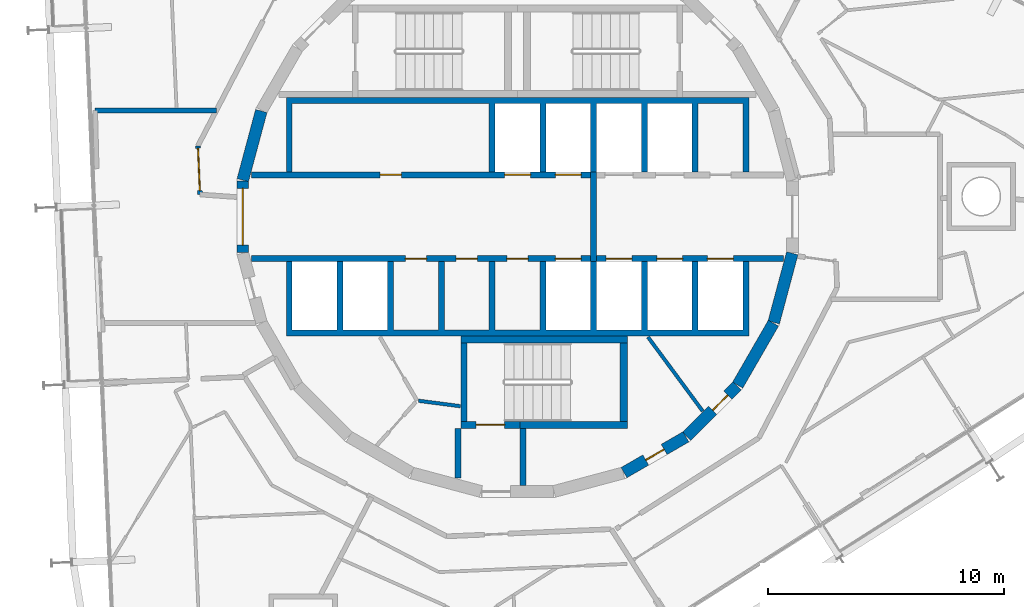
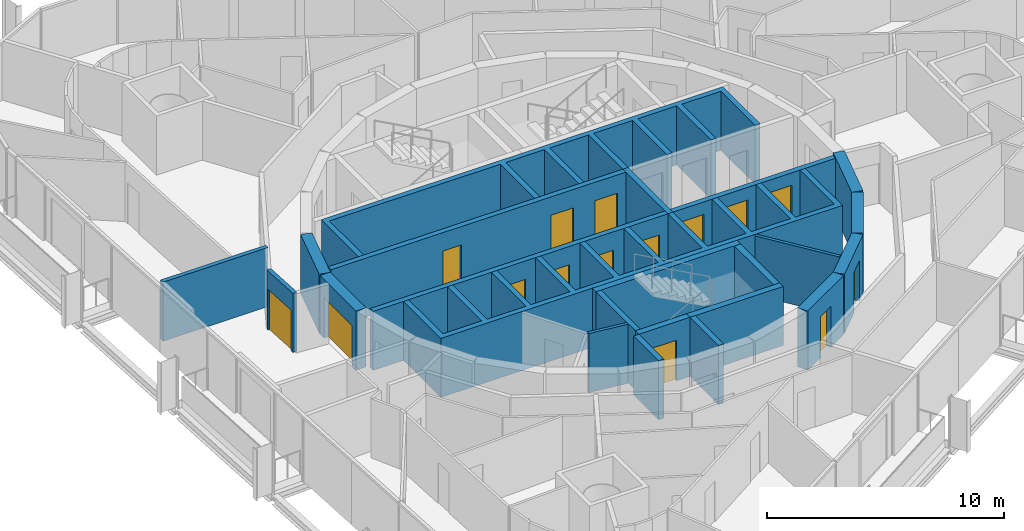
# One storey, part 13 of 18: 23 walls, 15 doors, 15 openings.
"""IFC4 building model written with IfcOpenShell, lengths in metres."""

import ifcopenshell
import ifcopenshell.guid

model = None  # the IFC model being written
_history = None  # IfcOwnerHistory: only IFC2X3 demands one
_inside = {}  # id of a spatial element -> (the spatial element, [elements in it])
_under = {}  # id of a project, library or spatial element -> (it, [spatial elements below it])
_declared = {}  # id of a project -> (the project, [libraries it declares])
_typed = {}  # id of a type object -> (the type object, [elements of that type])
_made_of = {}  # id of a material, layer set ... -> (it, [elements and type objects made of it])


def new_model(schema):
    """Start an empty IFC model of exactly this schema.

    Asked for "IFC4X3", IfcOpenShell would pick the latest addendum, in which some entities
    have other attributes; the version numbers below select the first issue.
    IFC2X3 requires an IfcOwnerHistory on every rooted entity: one is made here for all.
    """
    global model, _history
    if schema == "IFC4X3":
        model = ifcopenshell.file(schema_version=(4, 3, 0, 0))
    else:
        model = ifcopenshell.file(schema=schema)
    _inside.clear()
    _under.clear()
    _declared.clear()
    _typed.clear()
    _made_of.clear()
    _history = None
    if model.schema == "IFC2X3":
        org = make("IfcOrganization", Name="unknown")
        user = make(
            "IfcPersonAndOrganization",
            ThePerson=make("IfcPerson", FamilyName="unknown"),
            TheOrganization=org,
        )
        app = make(
            "IfcApplication",
            ApplicationDeveloper=org,
            Version="unknown",
            ApplicationFullName="unknown",
            ApplicationIdentifier="unknown",
        )
        _history = make(
            "IfcOwnerHistory",
            OwningUser=user,
            OwningApplication=app,
            ChangeAction="ADDED",
            CreationDate=0,
        )
    return model


def make(cls, **values):
    """One entity of the class cls with the attributes given. An attribute that is None is left unset."""
    return model.create_entity(
        cls, **{name: value for name, value in values.items() if value is not None}
    )


def rooted(cls, **values):
    """An entity with a GlobalId (a new one), such as an element, a storey or a relation."""
    return make(cls, GlobalId=ifcopenshell.guid.new(), OwnerHistory=_history, **values)


def si_unit(unit_type, name, prefix=None):
    """IfcSIUnit, for example si_unit("LENGTHUNIT", "METRE", prefix="MILLI")."""
    return make("IfcSIUnit", UnitType=unit_type, Prefix=prefix, Name=name)


def assignment(units):
    """IfcUnitAssignment: the units of a project."""
    return None if units is None else make("IfcUnitAssignment", Units=units)


def point(xyz):
    """IfcCartesianPoint."""
    return None if xyz is None else make("IfcCartesianPoint", Coordinates=xyz)


def direction(xyz):
    """IfcDirection."""
    return None if xyz is None else make("IfcDirection", DirectionRatios=xyz)


def frame(location, z_axis=None, x_axis=None):
    """IfcAxis2Placement3D, a coordinate frame: its origin and axes. An axis left out is left unset."""
    return make(
        "IfcAxis2Placement3D",
        Location=point(location),
        Axis=direction(z_axis),
        RefDirection=direction(x_axis),
    )


def frame_2d(location, x_axis=None):
    """IfcAxis2Placement2D, a coordinate frame in the plane: its origin and x axis."""
    return make(
        "IfcAxis2Placement2D", Location=point(location), RefDirection=direction(x_axis)
    )


def origin():
    """The frame at (0, 0, 0) with its axes left unset."""
    return frame((0.0, 0.0, 0.0))


def place(relative_to, where):
    """IfcLocalPlacement: puts the frame where relative to a parent placement (None: the world)."""
    return make(
        "IfcLocalPlacement", PlacementRelTo=relative_to, RelativePlacement=where
    )


def context(
    kind, dimensions, precision=None, world=None, true_north=None, identifier=None
):
    """IfcGeometricRepresentationContext, for example the 3D "Model" context."""
    return make(
        "IfcGeometricRepresentationContext",
        ContextIdentifier=identifier,
        ContextType=kind,
        CoordinateSpaceDimension=dimensions,
        Precision=precision,
        WorldCoordinateSystem=world,
        TrueNorth=true_north,
    )


def subcontext(parent, identifier, kind, view, scale=None):
    """IfcGeometricRepresentationSubContext, for example "Body" below "Model"."""
    return make(
        "IfcGeometricRepresentationSubContext",
        ContextIdentifier=identifier,
        ContextType=kind,
        ParentContext=parent,
        TargetScale=scale,
        TargetView=view,
    )


def project(units=None, contexts=None):
    """IfcProject with its units and contexts."""
    return rooted(
        "IfcProject",
        Name="project",
        RepresentationContexts=contexts,
        UnitsInContext=assignment(units),
    )


def spatial(cls, under=None, at=None, **own):
    """A site, building, storey or space (cls), placed at a placement, below another one or the project."""
    s = rooted(cls, ObjectPlacement=at, **own)
    if under is not None:
        _under.setdefault(under.id(), (under, []))[1].append(s)
    return s


def polyline(points):
    """IfcPolyline through the points."""
    return make("IfcPolyline", Points=[point(p) for p in points])


def profile(cls, at=None, kind="AREA", **sizes):
    """A parametric profile (cls). Its sizes go by their IFC names, for example OverallWidth=200.0."""
    return make(cls, ProfileType=kind, Position=at, **sizes)


def rectangle(**sizes):
    """IfcRectangleProfileDef."""
    return profile("IfcRectangleProfileDef", **sizes)


def outline(outer, holes=None, kind="AREA"):
    """IfcArbitraryClosedProfileDef: a profile drawn as a closed curve; with holes, ...WithVoids."""
    if holes is None:
        return make("IfcArbitraryClosedProfileDef", ProfileType=kind, OuterCurve=outer)
    return make(
        "IfcArbitraryProfileDefWithVoids",
        ProfileType=kind,
        OuterCurve=outer,
        InnerCurves=holes,
    )


def extrude(swept, where, along, depth):
    """IfcExtrudedAreaSolid: the profile swept, set in the frame where, extruded along a direction by depth."""
    return make(
        "IfcExtrudedAreaSolid",
        SweptArea=swept,
        Position=where,
        ExtrudedDirection=direction(along),
        Depth=depth,
    )


def shape(context_of_items, identifier, shape_type, items):
    """IfcShapeRepresentation: the items that make up one representation, for example the "Body"."""
    return make(
        "IfcShapeRepresentation",
        ContextOfItems=context_of_items,
        RepresentationIdentifier=identifier,
        RepresentationType=shape_type,
        Items=items,
    )


def material(Name=None, Category=None):
    """IfcMaterial."""
    return make("IfcMaterial", Name=Name, Category=Category)


def layer(
    of_material, thickness, ventilated=None, Name=None, Category=None, Priority=None
):
    """IfcMaterialLayer: one layer of a wall or slab, of a material (None: an air gap)."""
    return make(
        "IfcMaterialLayer",
        Material=of_material,
        LayerThickness=thickness,
        IsVentilated=ventilated,
        Name=Name,
        Category=Category,
        Priority=Priority,
    )


def layer_set(layers, Name=None):
    """IfcMaterialLayerSet."""
    return make("IfcMaterialLayerSet", MaterialLayers=layers, LayerSetName=Name)


def made_of(thing, what):
    """Note that an element or type object is made of a material, layer set ...; save() writes the relation."""
    if what is not None:
        _made_of.setdefault(what.id(), (what, []))[1].append(thing)
    return thing


def type_object(cls, material=None, **own):
    """A type object (cls), such as IfcWallType, which elements share."""
    return made_of(rooted(cls, **own), material)


def element(
    cls,
    number,
    at=None,
    inside=None,
    cuts=None,
    type_object=None,
    material=None,
    context=None,
    identifier="Body",
    shape_type=None,
    held_by="IfcProductDefinitionShape",
    body=None,
    shapes=None,
    **own,
):
    """One element of the class cls, such as IfcWall. Its Tag is "e" and its number.

    at: its placement. inside: the storey or other place that contains it. cuts: it is an
    opening in that element (IfcRelVoidsElement). A single representation is given by context,
    identifier, shape_type and body (its items); several are given by shapes. held_by: the class
    of the entity that holds the representations. save() writes the other relations.
    """
    e = rooted(cls, Tag="e%d" % number, ObjectPlacement=at, **own)
    if body is not None:
        shapes = [shape(context, identifier, shape_type, body)]
    if shapes is not None:
        e.Representation = make(held_by, Representations=shapes)
    if inside is not None:
        _inside.setdefault(inside.id(), (inside, []))[1].append(e)
    if cuts is not None:
        rooted(
            "IfcRelVoidsElement", RelatingBuildingElement=cuts, RelatedOpeningElement=e
        )
    if type_object is not None:
        _typed.setdefault(type_object.id(), (type_object, []))[1].append(e)
    return made_of(e, material)


def fill(opening, filler):
    """IfcRelFillsElement: the door or window that sits in an opening."""
    return rooted(
        "IfcRelFillsElement",
        RelatingOpeningElement=opening,
        RelatedBuildingElement=filler,
    )


def aggregate(whole, parts):
    """IfcRelAggregates: a whole, such as a stair, and the parts it consists of."""
    return rooted("IfcRelAggregates", RelatingObject=whole, RelatedObjects=parts)


def save(model, path):
    """Write the relations noted so far, then the file.

    IfcRelAggregates (storeys below a building ...), IfcRelContainedInSpatialStructure (elements
    in a storey), IfcRelDefinesByType, IfcRelAssociatesMaterial and IfcRelDeclares: one each for
    every whole, place, type object, material and project.
    """
    for whole, parts in _under.values():
        aggregate(whole, parts)
    for where, things in _inside.values():
        rooted(
            "IfcRelContainedInSpatialStructure",
            RelatedElements=things,
            RelatingStructure=where,
        )
    for kind, things in _typed.values():
        rooted("IfcRelDefinesByType", RelatedObjects=things, RelatingType=kind)
    for what, things in _made_of.values():
        rooted("IfcRelAssociatesMaterial", RelatedObjects=things, RelatingMaterial=what)
    for by, libraries in _declared.values():
        rooted("IfcRelDeclares", RelatingContext=by, RelatedDefinitions=libraries)
    model.write(path)


model = new_model("IFC4")

# Units and contexts
model_context = context("Model", 3, precision=1e-05, world=origin(), true_north=direction((0.0, 1.0)))
body_context = subcontext(model_context, "Body", "Model", "MODEL_VIEW")
ifc_project = project(units=[si_unit("LENGTHUNIT", "METRE"), si_unit("AREAUNIT", "SQUARE_METRE"), si_unit("VOLUMEUNIT", "CUBIC_METRE"), si_unit("PLANEANGLEUNIT", "RADIAN"), si_unit("MASSUNIT", "GRAM", prefix="KILO")], contexts=[model_context])

# Site, building, storey
site_placement = place(None, origin())
site = spatial("IfcSite", under=ifc_project, at=site_placement, CompositionType="ELEMENT")
building_placement = place(site_placement, origin())
building = spatial("IfcBuilding", under=site, at=building_placement, Name="Spindle Arch Residences", CompositionType="ELEMENT")
storey_placement = place(building_placement, frame((0.0, 0.0, 254.699951171875)))
storey = spatial("IfcBuildingStorey", under=building, at=storey_placement, Name="L65", CompositionType="ELEMENT", Elevation=254.699951171875)

# Wall, opening, door
ifc_material_1 = material(Name="Concrete C50/60", Category="concrete")
ifc_layer_1 = layer(ifc_material_1, 0.5)
ifc_layer_set_1 = layer_set([ifc_layer_1], Name="Core outline wall 500")
wall_type_1 = type_object("IfcWallType", Name="Core outline wall 500", PredefinedType="SHEAR", material=ifc_layer_set_1)
wall_1_placement = place(storey_placement, frame((4.510498046875, -10.84521484375, 0.0), z_axis=(0.0, 0.0, 1.0), x_axis=(0.865975092491, 0.500087131594, 0.0)))
wall_1 = element("IfcWall", 1, at=wall_1_placement, inside=storey, type_object=wall_type_1, Name="Core outline wall 2", PredefinedType="SHEAR", context=body_context, shape_type="SweptSolid", body=[
    extrude(rectangle(XDim=3.03271484375, YDim=0.5, at=frame_2d((1.516357421875, 0.0))), origin(), (0.0, 0.0, 1.0), 3.050048828125),
])
opening_1_placement = place(wall_1_placement, frame((1.06640625, 0.0, 0.0)))
opening_1 = element("IfcOpeningElement", 2, at=opening_1_placement, cuts=wall_1, Name="Opening R6C0-WD08", PredefinedType="OPENING", context=body_context, shape_type="SweptSolid", body=[
    extrude(rectangle(XDim=0.89990234375, YDim=2.10009765625, at=frame_2d((0.449951171875, 1.050048828125))), frame((0.0, 0.260009765625, 0.0), z_axis=(0.0, -1.0, 0.0), x_axis=(1.0, 0.0, 0.0)), (0.0, 0.0, 1.0), 0.52001953125),
])
ifc_material_2 = material(Name="Steel, fire-resisting door", Category="steel")
door_type_1 = type_object("IfcDoorType", Name="Service room door 900x2100", OperationType="SINGLE_SWING_LEFT", PredefinedType="DOOR", material=ifc_material_2)
door_1_placement = place(opening_1_placement, origin())
door_1 = element("IfcDoor", 3, at=door_1_placement, inside=storey, type_object=door_type_1, Name="Service room door R6C0-WD08", OperationType="SINGLE_SWING_RIGHT", OverallHeight=2.10009765625, OverallWidth=0.89990234375, PredefinedType="DOOR", context=body_context, shape_type="SweptSolid", body=[
    extrude(rectangle(XDim=0.89990234375, YDim=2.10009765625, at=frame_2d((0.449951171875, 1.050048828125))), frame((0.0, 0.02490234375, 0.0), z_axis=(0.0, -1.0, 0.0), x_axis=(1.0, 0.0, 0.0)), (0.0, 0.0, 1.0), 0.050048828125),
])
fill(opening_1, door_1)

wall_2_placement = place(storey_placement, frame((7.163818359375, -9.30810546875, 0.0), z_axis=(0.0, 0.0, 1.0), x_axis=(0.707106781187, 0.707106781187, 0.0)))
wall_2 = element("IfcWall", 4, at=wall_2_placement, inside=storey, type_object=wall_type_1, Name="Core outline wall 3", PredefinedType="SHEAR", context=body_context, shape_type="SweptSolid", body=[
    extrude(rectangle(XDim=3.032470703125, YDim=0.5, at=frame_2d((1.51611328125, 0.0))), origin(), (0.0, 0.0, 1.0), 3.050048828125),
])
opening_2_placement = place(wall_2_placement, frame((1.56640625, 0.0, 0.0)))
opening_2 = element("IfcOpeningElement", 5, at=opening_2_placement, cuts=wall_2, Name="Opening R6C0-WD09", PredefinedType="OPENING", context=body_context, shape_type="SweptSolid", body=[
    extrude(rectangle(XDim=0.89990234375, YDim=2.10009765625, at=frame_2d((0.449951171875, 1.050048828125))), frame((0.0, 0.260009765625, 0.0), z_axis=(0.0, -1.0, 0.0), x_axis=(1.0, 0.0, 0.0)), (0.0, 0.0, 1.0), 0.52001953125),
])
door_2_placement = place(opening_2_placement, origin())
door_2 = element("IfcDoor", 6, at=door_2_placement, inside=storey, type_object=door_type_1, Name="Service room door R6C0-WD09", OperationType="SINGLE_SWING_LEFT", OverallHeight=2.10009765625, OverallWidth=0.89990234375, PredefinedType="DOOR", context=body_context, shape_type="SweptSolid", body=[
    extrude(rectangle(XDim=0.89990234375, YDim=2.10009765625, at=frame_2d((0.449951171875, 1.050048828125))), frame((0.0, 0.02490234375, 0.0), z_axis=(0.0, -1.0, 0.0), x_axis=(1.0, 0.0, 0.0)), (0.0, 0.0, 1.0), 0.050048828125),
])
fill(opening_2, door_2)

# Walls
for number, where, z_axis, x_axis, name in (
    (7, (9.32861328125, -7.13671875, 0.0), (0.0, 0.0, 1.0), (0.500087131594, 0.865975092491, 0.0), "Core outline wall 4"),
    (8, (10.858154296875, -4.479248046875, 0.0), (0.0, 0.0, 1.0), (0.258734743916, 0.965948410781, 0.0), "Core outline wall 5"),
    (9, (-10.858154296875, 4.479248046875, 0.0), (0.0, 0.0, 1.0), (-0.258734743916, -0.965948410781, 0.0), "Core outline wall 17"),
):
    element("IfcWall", number, at=place(storey_placement, frame(where, z_axis=z_axis, x_axis=x_axis)), inside=storey, type_object=wall_type_1, Name=name, PredefinedType="SHEAR", context=body_context, shape_type="SweptSolid", body=[
        extrude(rectangle(XDim=3.03271484375, YDim=0.5, at=frame_2d((1.516357421875, 0.0))), origin(), (0.0, 0.0, 1.0), 3.050048828125),
    ])

# Wall, opening, door
wall_3_placement = place(storey_placement, frame((-11.647216796875, 1.516357421875, 0.0), z_axis=(0.0, 0.0, 1.0), x_axis=(0.0, -1.0, 0.0)))
wall_3 = element("IfcWall", 10, at=wall_3_placement, inside=storey, type_object=wall_type_1, Name="Core outline wall 18", PredefinedType="SHEAR", context=body_context, shape_type="SweptSolid", body=[
    extrude(rectangle(XDim=3.03271484375, YDim=0.5, at=frame_2d((1.516357421875, 0.0))), origin(), (0.0, 0.0, 1.0), 3.050048828125),
])
opening_3_placement = place(wall_3_placement, frame((0.31640625, 0.0, 0.0)))
opening_3 = element("IfcOpeningElement", 11, at=opening_3_placement, cuts=wall_3, Name="Opening R6C0-LE01", PredefinedType="OPENING", context=body_context, shape_type="SweptSolid", body=[
    extrude(rectangle(XDim=2.39990234375, YDim=2.10009765625, at=frame_2d((1.199951171875, 1.050048828125))), frame((0.0, 0.260009765625, 0.0), z_axis=(0.0, -1.0, 0.0), x_axis=(1.0, 0.0, 0.0)), (0.0, 0.0, 1.0), 0.52001953125),
])
ifc_material_3 = material(Name="Steel, fire-resisting door", Category="steel")
door_type_2 = type_object("IfcDoorType", Name="Lift lobby entrance door 2400x2100", OperationType="DOUBLE_DOOR_SINGLE_SWING", PredefinedType="DOOR", material=ifc_material_3)
door_3_placement = place(opening_3_placement, origin())
door_3 = element("IfcDoor", 12, at=door_3_placement, inside=storey, type_object=door_type_2, Name="Lift lobby entrance door R6C0-LE01", OperationType="DOUBLE_DOOR_SINGLE_SWING", OverallHeight=2.10009765625, OverallWidth=2.39990234375, PredefinedType="DOOR", context=body_context, shape_type="SweptSolid", body=[
    extrude(rectangle(XDim=2.39990234375, YDim=2.10009765625, at=frame_2d((1.199951171875, 1.050048828125))), frame((0.0, 0.02490234375, 0.0), z_axis=(0.0, -1.0, 0.0), x_axis=(1.0, 0.0, 0.0)), (0.0, 0.0, 1.0), 0.050048828125),
])
fill(opening_3, door_3)

# Wall
ifc_material_4 = material(Name="Concrete C40/50", Category="concrete")
ifc_layer_2 = layer(ifc_material_4, 0.25)
ifc_layer_set_2 = layer_set([ifc_layer_2], Name="Fire-lift lobby wall 250")
wall_type_2 = type_object("IfcWallType", Name="Fire-lift lobby wall 250", PredefinedType="SHEAR", material=ifc_layer_set_2)
wall_4_placement = place(storey_placement, frame((3.22509765625, -1.89990234375, 0.0), z_axis=(0.0, 0.0, 1.0), x_axis=(0.0, 1.0, 0.0)))
element("IfcWall", 13, at=wall_4_placement, inside=storey, type_object=wall_type_2, Name="Fire-fighting lobby partition", PredefinedType="SHEAR", context=body_context, shape_type="SweptSolid", body=[
    extrude(rectangle(XDim=3.7998046875, YDim=0.25, at=frame_2d((1.89990234375, 0.0))), origin(), (0.0, 0.0, 1.0), 3.050048828125),
])

# Wall, openings, doors
ifc_material_5 = material(Name="Concrete C50/60", Category="concrete")
ifc_layer_3 = layer(ifc_material_5, 0.25)
ifc_layer_set_3 = layer_set([ifc_layer_3], Name="Fire-lift shaft wall 250")
wall_type_3 = type_object("IfcWallType", Name="Fire-lift shaft wall 250", PredefinedType="SHEAR", material=ifc_layer_set_3)
wall_5_placement = place(storey_placement, frame((3.35009765625, -1.77490234375, 0.0), z_axis=(0.0, 0.0, 1.0), x_axis=(1.0, 0.0, 0.0)))
wall_5 = element("IfcWall", 14, at=wall_5_placement, inside=storey, type_object=wall_type_3, Name="Lift shaft front wall SE", PredefinedType="SHEAR", context=body_context, shape_type="SweptSolid", body=[
    extrude(rectangle(XDim=7.929931640625, YDim=0.25, at=frame_2d((3.96484375, 0.0))), origin(), (0.0, 0.0, 1.0), 3.050048828125),
])
opening_4_placement = place(wall_5_placement, frame((0.39990234375, 0.0, 0.0)))
opening_4 = element("IfcOpeningElement", 15, at=opening_4_placement, cuts=wall_5, Name="Opening R6C0-FLD01", PredefinedType="OPENING", context=body_context, shape_type="SweptSolid", body=[
    extrude(rectangle(XDim=1.10009765625, YDim=2.39990234375, at=frame_2d((0.550048828125, 1.199951171875))), frame((0.0, 0.135009765625, 0.0), z_axis=(0.0, -1.0, 0.0), x_axis=(1.0, 0.0, 0.0)), (0.0, 0.0, 1.0), 0.27001953125),
])
opening_5_placement = place(wall_5_placement, frame((2.550048828125, 0.0, 0.0)))
opening_5 = element("IfcOpeningElement", 16, at=opening_5_placement, cuts=wall_5, Name="Opening R6C0-FLD02", PredefinedType="OPENING", context=body_context, shape_type="SweptSolid", body=[
    extrude(rectangle(XDim=1.10009765625, YDim=2.39990234375, at=frame_2d((0.550048828125, 1.199951171875))), frame((0.0, 0.135009765625, 0.0), z_axis=(0.0, -1.0, 0.0), x_axis=(1.0, 0.0, 0.0)), (0.0, 0.0, 1.0), 0.27001953125),
])
opening_6_placement = place(wall_5_placement, frame((4.699951171875, 0.0, 0.0)))
opening_6 = element("IfcOpeningElement", 17, at=opening_6_placement, cuts=wall_5, Name="Opening R6C0-FLD03", PredefinedType="OPENING", context=body_context, shape_type="SweptSolid", body=[
    extrude(rectangle(XDim=1.10009765625, YDim=2.39990234375, at=frame_2d((0.550048828125, 1.199951171875))), frame((0.0, 0.135009765625, 0.0), z_axis=(0.0, -1.0, 0.0), x_axis=(1.0, 0.0, 0.0)), (0.0, 0.0, 1.0), 0.27001953125),
])
ifc_material_6 = material(Name="Steel, fire-resisting landing door", Category="steel")
door_type_3 = type_object("IfcDoorType", Name="Fire-fighting lift landing door 1100x2400", OperationType="DOUBLE_DOOR_SLIDING", PredefinedType="DOOR", material=ifc_material_6)
door_4_placement = place(opening_4_placement, origin())
door_4 = element("IfcDoor", 18, at=door_4_placement, inside=storey, type_object=door_type_3, Name="Fire-fighting lift landing door R6C0-FLD01", OperationType="DOUBLE_DOOR_SLIDING", OverallHeight=2.39990234375, OverallWidth=1.10009765625, PredefinedType="DOOR", context=body_context, shape_type="SweptSolid", body=[
    extrude(rectangle(XDim=1.10009765625, YDim=2.39990234375, at=frame_2d((0.550048828125, 1.199951171875))), frame((0.0, 0.02490234375, 0.0), z_axis=(0.0, -1.0, 0.0), x_axis=(1.0, 0.0, 0.0)), (0.0, 0.0, 1.0), 0.050048828125),
])
fill(opening_4, door_4)
door_5_placement = place(opening_5_placement, origin())
door_5 = element("IfcDoor", 19, at=door_5_placement, inside=storey, type_object=door_type_3, Name="Fire-fighting lift landing door R6C0-FLD02", OperationType="DOUBLE_DOOR_SLIDING", OverallHeight=2.39990234375, OverallWidth=1.10009765625, PredefinedType="DOOR", context=body_context, shape_type="SweptSolid", body=[
    extrude(rectangle(XDim=1.10009765625, YDim=2.39990234375, at=frame_2d((0.550048828125, 1.199951171875))), frame((0.0, 0.02490234375, 0.0), z_axis=(0.0, -1.0, 0.0), x_axis=(1.0, 0.0, 0.0)), (0.0, 0.0, 1.0), 0.050048828125),
])
fill(opening_5, door_5)
door_6_placement = place(opening_6_placement, origin())
door_6 = element("IfcDoor", 20, at=door_6_placement, inside=storey, type_object=door_type_3, Name="Fire-fighting lift landing door R6C0-FLD03", OperationType="DOUBLE_DOOR_SLIDING", OverallHeight=2.39990234375, OverallWidth=1.10009765625, PredefinedType="DOOR", context=body_context, shape_type="SweptSolid", body=[
    extrude(rectangle(XDim=1.10009765625, YDim=2.39990234375, at=frame_2d((0.550048828125, 1.199951171875))), frame((0.0, 0.02490234375, 0.0), z_axis=(0.0, -1.0, 0.0), x_axis=(1.0, 0.0, 0.0)), (0.0, 0.0, 1.0), 0.050048828125),
])
fill(opening_6, door_6)

# Wall, opening, door
ifc_material_7 = material(Name="Calcium silicate block, plastered")
ifc_layer_4 = layer(ifc_material_7, 0.199951171875)
ifc_layer_set_4 = layer_set([ifc_layer_4], Name="Lift lobby bay wall 200")
wall_type_4 = type_object("IfcWallType", Name="Lift lobby bay wall 200", PredefinedType="STANDARD", material=ifc_layer_set_4)
wall_6_placement = place(storey_placement, frame((-13.5439453125, 3.002685546875, 0.0), z_axis=(0.0, 0.0, 1.0), x_axis=(0.043652842459, -0.99904676034, 0.0)))
wall_6 = element("IfcWall", 21, at=wall_6_placement, inside=storey, type_object=wall_type_4, Name="Lift lobby bay wall R6C0-W008", PredefinedType="STANDARD", context=body_context, shape_type="SweptSolid", body=[
    extrude(rectangle(XDim=2.063720703125, YDim=0.199951171875, at=frame_2d((1.03173828125, 0.0))), origin(), (0.0, 0.0, 1.0), 3.050048828125),
])
opening_7_placement = place(wall_6_placement, frame((0.10009765625, 0.0, 0.0)))
opening_7 = element("IfcOpeningElement", 22, at=opening_7_placement, cuts=wall_6, Name="Opening R6C0-LB01", PredefinedType="OPENING", context=body_context, shape_type="SweptSolid", body=[
    extrude(rectangle(XDim=1.800048828125, YDim=2.10009765625, at=frame_2d((0.89990234375, 1.050048828125))), frame((0.0, 0.10986328125, 0.0), z_axis=(0.0, -1.0, 0.0), x_axis=(1.0, 0.0, 0.0)), (0.0, 0.0, 1.0), 0.219970703125),
])
ifc_material_8 = material(Name="Steel, fire-resisting door", Category="steel")
door_type_4 = type_object("IfcDoorType", Name="Lift lobby bay door 1800x2100", OperationType="NOTDEFINED", PredefinedType="DOOR", material=ifc_material_8)
door_7_placement = place(opening_7_placement, origin())
door_7 = element("IfcDoor", 23, at=door_7_placement, inside=storey, type_object=door_type_4, Name="Lift lobby bay door R6C0-LB01", OperationType="DOUBLE_DOOR_SINGLE_SWING", OverallHeight=2.10009765625, OverallWidth=1.800048828125, PredefinedType="DOOR", context=body_context, shape_type="SweptSolid", body=[
    extrude(rectangle(XDim=1.800048828125, YDim=2.10009765625, at=frame_2d((0.89990234375, 1.050048828125))), frame((0.0, 0.02490234375, 0.0), z_axis=(0.0, -1.0, 0.0), x_axis=(1.0, 0.0, 0.0)), (0.0, 0.0, 1.0), 0.050048828125),
])
fill(opening_7, door_7)

# Wall
wall_7_placement = place(storey_placement, frame((-12.764404296875, 4.5, 0.0), z_axis=(0.0, 0.0, 1.0), x_axis=(-1.0, 0.0, 0.0)))
element("IfcWall", 24, at=wall_7_placement, inside=storey, type_object=wall_type_4, Name="Lift lobby bay wall R6C0-W022", PredefinedType="STANDARD", context=body_context, shape_type="SweptSolid", body=[
    extrude(rectangle(XDim=5.135498046875, YDim=0.199951171875, at=frame_2d((2.56787109375, 0.0))), origin(), (0.0, 0.0, 1.0), 3.050048828125),
])

# Wall, openings, doors
ifc_material_9 = material(Name="Concrete C50/60", Category="concrete")
ifc_layer_5 = layer(ifc_material_9, 0.25)
ifc_layer_set_5 = layer_set([ifc_layer_5], Name="Lift shaft wall 250")
wall_type_5 = type_object("IfcWallType", Name="Lift shaft wall 250", PredefinedType="SHEAR", material=ifc_layer_set_5)
wall_8_placement = place(storey_placement, frame((-11.280029296875, 1.77490234375, 0.0), z_axis=(0.0, 0.0, 1.0), x_axis=(1.0, 0.0, 0.0)))
wall_8 = element("IfcWall", 25, at=wall_8_placement, inside=storey, type_object=wall_type_5, Name="Lift shaft front wall NW", PredefinedType="SHEAR", context=body_context, shape_type="SweptSolid", body=[
    extrude(rectangle(XDim=14.380126953125, YDim=0.25, at=frame_2d((7.18994140625, 0.0))), origin(), (0.0, 0.0, 1.0), 3.050048828125),
])
opening_8_placement = place(wall_8_placement, frame((10.72998046875, 0.0, 0.0)))
opening_8 = element("IfcOpeningElement", 26, at=opening_8_placement, cuts=wall_8, Name="Opening R6C0-LD01", PredefinedType="OPENING", context=body_context, shape_type="SweptSolid", body=[
    extrude(rectangle(XDim=1.10009765625, YDim=2.10009765625, at=frame_2d((0.550048828125, 1.050048828125))), frame((0.0, 0.135009765625, 0.0), z_axis=(0.0, -1.0, 0.0), x_axis=(1.0, 0.0, 0.0)), (0.0, 0.0, 1.0), 0.27001953125),
])
opening_9_placement = place(wall_8_placement, frame((12.8798828125, 0.0, 0.0)))
opening_9 = element("IfcOpeningElement", 27, at=opening_9_placement, cuts=wall_8, Name="Opening R6C0-LD02", PredefinedType="OPENING", context=body_context, shape_type="SweptSolid", body=[
    extrude(rectangle(XDim=1.10009765625, YDim=2.10009765625, at=frame_2d((0.550048828125, 1.050048828125))), frame((0.0, 0.135009765625, 0.0), z_axis=(0.0, -1.0, 0.0), x_axis=(1.0, 0.0, 0.0)), (0.0, 0.0, 1.0), 0.27001953125),
])
opening_10_placement = place(wall_8_placement, frame((5.455078125, 0.0, 0.0)))
opening_10 = element("IfcOpeningElement", 28, at=opening_10_placement, cuts=wall_8, Name="Opening R6C0-WD01", PredefinedType="OPENING", context=body_context, shape_type="SweptSolid", body=[
    extrude(rectangle(XDim=0.89990234375, YDim=2.10009765625, at=frame_2d((0.449951171875, 1.050048828125))), frame((0.0, 0.135009765625, 0.0), z_axis=(0.0, -1.0, 0.0), x_axis=(1.0, 0.0, 0.0)), (0.0, 0.0, 1.0), 0.27001953125),
])
ifc_material_10 = material(Name="Steel, fire-resisting landing door", Category="steel")
door_type_5 = type_object("IfcDoorType", Name="Lift landing door 1100x2100", OperationType="DOUBLE_DOOR_SLIDING", PredefinedType="DOOR", material=ifc_material_10)
door_8_placement = place(opening_8_placement, origin())
door_8 = element("IfcDoor", 29, at=door_8_placement, inside=storey, type_object=door_type_5, Name="Lift landing door R6C0-LD01", OperationType="DOUBLE_DOOR_SLIDING", OverallHeight=2.10009765625, OverallWidth=1.10009765625, PredefinedType="DOOR", context=body_context, shape_type="SweptSolid", body=[
    extrude(rectangle(XDim=1.10009765625, YDim=2.10009765625, at=frame_2d((0.550048828125, 1.050048828125))), frame((0.0, 0.02490234375, 0.0), z_axis=(0.0, -1.0, 0.0), x_axis=(1.0, 0.0, 0.0)), (0.0, 0.0, 1.0), 0.050048828125),
])
fill(opening_8, door_8)
door_9_placement = place(opening_9_placement, origin())
door_9 = element("IfcDoor", 30, at=door_9_placement, inside=storey, type_object=door_type_5, Name="Lift landing door R6C0-LD02", OperationType="DOUBLE_DOOR_SLIDING", OverallHeight=2.10009765625, OverallWidth=1.10009765625, PredefinedType="DOOR", context=body_context, shape_type="SweptSolid", body=[
    extrude(rectangle(XDim=1.10009765625, YDim=2.10009765625, at=frame_2d((0.550048828125, 1.050048828125))), frame((0.0, 0.02490234375, 0.0), z_axis=(0.0, -1.0, 0.0), x_axis=(1.0, 0.0, 0.0)), (0.0, 0.0, 1.0), 0.050048828125),
])
fill(opening_9, door_9)
door_10_placement = place(opening_10_placement, origin())
door_10 = element("IfcDoor", 31, at=door_10_placement, inside=storey, type_object=door_type_1, Name="Service room door R6C0-WD01", OperationType="SINGLE_SWING_LEFT", OverallHeight=2.10009765625, OverallWidth=0.89990234375, PredefinedType="DOOR", context=body_context, shape_type="SweptSolid", body=[
    extrude(rectangle(XDim=0.89990234375, YDim=2.10009765625, at=frame_2d((0.449951171875, 1.050048828125))), frame((0.0, 0.02490234375, 0.0), z_axis=(0.0, -1.0, 0.0), x_axis=(1.0, 0.0, 0.0)), (0.0, 0.0, 1.0), 0.050048828125),
])
fill(opening_10, door_10)

wall_9_placement = place(storey_placement, frame((-11.280029296875, -1.77490234375, 0.0), z_axis=(0.0, 0.0, 1.0), x_axis=(1.0, 0.0, 0.0)))
wall_9 = element("IfcWall", 32, at=wall_9_placement, inside=storey, type_object=wall_type_5, Name="Lift shaft front wall SW", PredefinedType="SHEAR", context=body_context, shape_type="SweptSolid", body=[
    extrude(rectangle(XDim=14.380126953125, YDim=0.25, at=frame_2d((7.18994140625, 0.0))), origin(), (0.0, 0.0, 1.0), 3.050048828125),
])
opening_11_placement = place(wall_9_placement, frame((12.8798828125, 0.0, 0.0)))
opening_11 = element("IfcOpeningElement", 33, at=opening_11_placement, cuts=wall_9, Name="Opening R6C0-LD03", PredefinedType="OPENING", context=body_context, shape_type="SweptSolid", body=[
    extrude(rectangle(XDim=1.10009765625, YDim=2.10009765625, at=frame_2d((0.550048828125, 1.050048828125))), frame((0.0, 0.135009765625, 0.0), z_axis=(0.0, -1.0, 0.0), x_axis=(1.0, 0.0, 0.0)), (0.0, 0.0, 1.0), 0.27001953125),
])
opening_12_placement = place(wall_9_placement, frame((6.530029296875, 0.0, 0.0)))
opening_12 = element("IfcOpeningElement", 34, at=opening_12_placement, cuts=wall_9, Name="Opening R6C0-WD03", PredefinedType="OPENING", context=body_context, shape_type="SweptSolid", body=[
    extrude(rectangle(XDim=0.89990234375, YDim=2.10009765625, at=frame_2d((0.449951171875, 1.050048828125))), frame((0.0, 0.135009765625, 0.0), z_axis=(0.0, -1.0, 0.0), x_axis=(1.0, 0.0, 0.0)), (0.0, 0.0, 1.0), 0.27001953125),
])
opening_13_placement = place(wall_9_placement, frame((8.679931640625, 0.0, 0.0)))
opening_13 = element("IfcOpeningElement", 35, at=opening_13_placement, cuts=wall_9, Name="Opening R6C0-WD04", PredefinedType="OPENING", context=body_context, shape_type="SweptSolid", body=[
    extrude(rectangle(XDim=0.89990234375, YDim=2.10009765625, at=frame_2d((0.449951171875, 1.050048828125))), frame((0.0, 0.135009765625, 0.0), z_axis=(0.0, -1.0, 0.0), x_axis=(1.0, 0.0, 0.0)), (0.0, 0.0, 1.0), 0.27001953125),
])
opening_14_placement = place(wall_9_placement, frame((10.830078125, 0.0, 0.0)))
opening_14 = element("IfcOpeningElement", 36, at=opening_14_placement, cuts=wall_9, Name="Opening R6C0-WD05", PredefinedType="OPENING", context=body_context, shape_type="SweptSolid", body=[
    extrude(rectangle(XDim=0.89990234375, YDim=2.10009765625, at=frame_2d((0.449951171875, 1.050048828125))), frame((0.0, 0.135009765625, 0.0), z_axis=(0.0, -1.0, 0.0), x_axis=(1.0, 0.0, 0.0)), (0.0, 0.0, 1.0), 0.27001953125),
])
door_11_placement = place(opening_11_placement, origin())
door_11 = element("IfcDoor", 37, at=door_11_placement, inside=storey, type_object=door_type_5, Name="Lift landing door R6C0-LD03", OperationType="DOUBLE_DOOR_SLIDING", OverallHeight=2.10009765625, OverallWidth=1.10009765625, PredefinedType="DOOR", context=body_context, shape_type="SweptSolid", body=[
    extrude(rectangle(XDim=1.10009765625, YDim=2.10009765625, at=frame_2d((0.550048828125, 1.050048828125))), frame((0.0, 0.02490234375, 0.0), z_axis=(0.0, -1.0, 0.0), x_axis=(1.0, 0.0, 0.0)), (0.0, 0.0, 1.0), 0.050048828125),
])
fill(opening_11, door_11)
door_12_placement = place(opening_12_placement, origin())
door_12 = element("IfcDoor", 38, at=door_12_placement, inside=storey, type_object=door_type_1, Name="Service room door R6C0-WD03", OperationType="SINGLE_SWING_LEFT", OverallHeight=2.10009765625, OverallWidth=0.89990234375, PredefinedType="DOOR", context=body_context, shape_type="SweptSolid", body=[
    extrude(rectangle(XDim=0.89990234375, YDim=2.10009765625, at=frame_2d((0.449951171875, 1.050048828125))), frame((0.0, 0.02490234375, 0.0), z_axis=(0.0, -1.0, 0.0), x_axis=(1.0, 0.0, 0.0)), (0.0, 0.0, 1.0), 0.050048828125),
])
fill(opening_12, door_12)
door_13_placement = place(opening_13_placement, origin())
door_13 = element("IfcDoor", 39, at=door_13_placement, inside=storey, type_object=door_type_1, Name="Service room door R6C0-WD04", OperationType="SINGLE_SWING_RIGHT", OverallHeight=2.10009765625, OverallWidth=0.89990234375, PredefinedType="DOOR", context=body_context, shape_type="SweptSolid", body=[
    extrude(rectangle(XDim=0.89990234375, YDim=2.10009765625, at=frame_2d((0.449951171875, 1.050048828125))), frame((0.0, 0.02490234375, 0.0), z_axis=(0.0, -1.0, 0.0), x_axis=(1.0, 0.0, 0.0)), (0.0, 0.0, 1.0), 0.050048828125),
])
fill(opening_13, door_13)
door_14_placement = place(opening_14_placement, origin())
door_14 = element("IfcDoor", 40, at=door_14_placement, inside=storey, type_object=door_type_1, Name="Service room door R6C0-WD05", OperationType="SINGLE_SWING_LEFT", OverallHeight=2.10009765625, OverallWidth=0.89990234375, PredefinedType="DOOR", context=body_context, shape_type="SweptSolid", body=[
    extrude(rectangle(XDim=0.89990234375, YDim=2.10009765625, at=frame_2d((0.449951171875, 1.050048828125))), frame((0.0, 0.02490234375, 0.0), z_axis=(0.0, -1.0, 0.0), x_axis=(1.0, 0.0, 0.0)), (0.0, 0.0, 1.0), 0.050048828125),
])
fill(opening_14, door_14)

# Walls
ifc_material_11 = material(Name="Concrete C50/60", Category="concrete")
wall_type_6 = type_object("IfcWallType", Name="Lift shaft wall profile", PredefinedType="SHEAR", material=ifc_material_11)
wall_10_placement = place(storey_placement, origin())
element("IfcWall", 41, at=wall_10_placement, inside=storey, type_object=wall_type_6, Name="Lift shaft walls N", PredefinedType="SHEAR", context=body_context, shape_type="SweptSolid", body=[
    extrude(outline(polyline([(-9.550048828125, 4.800048828125), (-1.199951171875, 4.800048828125), (-1.199951171875, 1.89990234375), (-0.949951171875, 1.89990234375), (-0.949951171875, 4.800048828125), (0.949951171875, 4.800048828125), (0.949951171875, 1.89990234375), (1.199951171875, 1.89990234375), (1.199951171875, 4.800048828125), (3.10009765625, 4.800048828125), (3.10009765625, 1.89990234375), (3.35009765625, 1.89990234375), (3.35009765625, 4.800048828125), (5.25, 4.800048828125), (5.25, 1.89990234375), (5.5, 1.89990234375), (5.5, 4.800048828125), (7.39990234375, 4.800048828125), (7.39990234375, 1.89990234375), (7.64990234375, 1.89990234375), (7.64990234375, 4.800048828125), (9.550048828125, 4.800048828125), (9.550048828125, 1.89990234375), (9.800048828125, 1.89990234375), (9.800048828125, 4.800048828125), (9.800048828125, 5.050048828125), (-9.800048828125, 5.050048828125), (-9.800048828125, 4.800048828125), (-9.800048828125, 1.89990234375), (-9.550048828125, 1.89990234375), (-9.550048828125, 4.800048828125)])), origin(), (0.0, 0.0, 1.0), 3.050048828125),
])
wall_11_placement = place(storey_placement, origin())
element("IfcWall", 42, at=wall_11_placement, inside=storey, type_object=wall_type_6, Name="Lift shaft walls S", PredefinedType="SHEAR", context=body_context, shape_type="SweptSolid", body=[
    extrude(outline(polyline([(9.800048828125, -5.050048828125), (9.800048828125, -4.800048828125), (9.800048828125, -1.89990234375), (9.550048828125, -1.89990234375), (9.550048828125, -4.800048828125), (7.64990234375, -4.800048828125), (7.64990234375, -1.89990234375), (7.39990234375, -1.89990234375), (7.39990234375, -4.800048828125), (5.5, -4.800048828125), (5.5, -1.89990234375), (5.25, -1.89990234375), (5.25, -4.800048828125), (3.35009765625, -4.800048828125), (3.35009765625, -1.89990234375), (3.10009765625, -1.89990234375), (3.10009765625, -4.800048828125), (1.199951171875, -4.800048828125), (1.199951171875, -1.89990234375), (0.949951171875, -1.89990234375), (0.949951171875, -4.800048828125), (-0.949951171875, -4.800048828125), (-0.949951171875, -1.89990234375), (-1.199951171875, -1.89990234375), (-1.199951171875, -4.800048828125), (-3.10009765625, -4.800048828125), (-3.10009765625, -1.89990234375), (-3.35009765625, -1.89990234375), (-3.35009765625, -4.800048828125), (-5.25, -4.800048828125), (-5.25, -1.89990234375), (-5.5, -1.89990234375), (-5.5, -4.800048828125), (-7.39990234375, -4.800048828125), (-7.39990234375, -1.89990234375), (-7.64990234375, -1.89990234375), (-7.64990234375, -4.800048828125), (-9.550048828125, -4.800048828125), (-9.550048828125, -1.89990234375), (-9.800048828125, -1.89990234375), (-9.800048828125, -4.800048828125), (-9.800048828125, -5.050048828125), (9.800048828125, -5.050048828125)])), origin(), (0.0, 0.0, 1.0), 3.050048828125),
])
ifc_material_12 = material(Name="Concrete C25/30", Category="concrete")
ifc_layer_6 = layer(ifc_material_12, 0.14990234375)
ifc_layer_set_6 = layer_set([ifc_layer_6], Name="Service room partition 150")
wall_type_7 = type_object("IfcWallType", Name="Service room partition 150", PredefinedType="PARTITIONING", material=ifc_layer_set_6)
wall_12_placement = place(storey_placement, frame((5.528076171875, -5.098388671875, 0.0), z_axis=(0.0, 0.0, 1.0), x_axis=(0.594034318069, -0.804439698769, 0.0)))
element("IfcWall", 43, at=wall_12_placement, inside=storey, type_object=wall_type_7, Name="Core service room partition", PredefinedType="PARTITIONING", context=body_context, shape_type="SweptSolid", body=[
    extrude(rectangle(XDim=3.90673828125, YDim=0.14990234375, at=frame_2d((1.953369140625, 0.0))), origin(), (0.0, 0.0, 1.0), 3.050048828125),
])
wall_13_placement = place(storey_placement, frame((-4.197998046875, -7.79931640625, 0.0), z_axis=(0.0, 0.0, 1.0), x_axis=(0.991686747293, -0.128675542523, 0.0)))
element("IfcWall", 44, at=wall_13_placement, inside=storey, type_object=wall_type_7, Name="Core service room partition", PredefinedType="PARTITIONING", context=body_context, shape_type="SweptSolid", body=[
    extrude(rectangle(XDim=1.79296875, YDim=0.14990234375, at=frame_2d((0.896484375, 0.0))), origin(), (0.0, 0.0, 1.0), 3.050048828125),
])
ifc_material_13 = material(Name="Concrete C40/50", Category="concrete")
ifc_layer_7 = layer(ifc_material_13, 0.25)
ifc_layer_set_7 = layer_set([ifc_layer_7], Name="Stair airlock wall 250")
wall_type_8 = type_object("IfcWallType", Name="Stair airlock wall 250", PredefinedType="SHEAR", material=ifc_layer_set_7)
wall_14_placement = place(storey_placement, frame((-2.52490234375, -8.969970703125, 0.0), z_axis=(0.0, 0.0, 1.0), x_axis=(0.0, -1.0, 0.0)))
element("IfcWall", 45, at=wall_14_placement, inside=storey, type_object=wall_type_8, Name="Stair ST-3 airlock wall W", PredefinedType="SHEAR", context=body_context, shape_type="SweptSolid", body=[
    extrude(rectangle(XDim=2.110107421875, YDim=0.25, at=frame_2d((1.05517578125, 0.0))), origin(), (0.0, 0.0, 1.0), 3.050048828125),
])
wall_15_placement = place(storey_placement, frame((0.22509765625, -8.969970703125, 0.0), z_axis=(0.0, 0.0, 1.0), x_axis=(0.0, -1.0, 0.0)))
element("IfcWall", 46, at=wall_15_placement, inside=storey, type_object=wall_type_8, Name="Stair ST-3 airlock wall E", PredefinedType="SHEAR", context=body_context, shape_type="SweptSolid", body=[
    extrude(rectangle(XDim=2.409912109375, YDim=0.25, at=frame_2d((1.205078125, 0.0))), origin(), (0.0, 0.0, 1.0), 3.050048828125),
])
ifc_material_14 = material(Name="Concrete C50/60", Category="concrete")
ifc_layer_8 = layer(ifc_material_14, 0.25)
ifc_layer_set_8 = layer_set([ifc_layer_8], Name="Stair enclosure wall 250")
wall_type_9 = type_object("IfcWallType", Name="Stair enclosure wall 250", PredefinedType="SHEAR", material=ifc_layer_set_8)
wall_16_placement = place(storey_placement, frame((-2.27490234375, -8.669921875, 0.0), z_axis=(0.0, 0.0, 1.0), x_axis=(0.0, 1.0, 0.0)))
element("IfcWall", 47, at=wall_16_placement, inside=storey, type_object=wall_type_9, Name="Stair ST-3 enclosure wall W", PredefinedType="SHEAR", context=body_context, shape_type="SweptSolid", body=[
    extrude(rectangle(XDim=3.31982421875, YDim=0.25, at=frame_2d((1.659912109375, 0.0))), origin(), (0.0, 0.0, 1.0), 3.050048828125),
])
ifc_material_15 = material(Name="Concrete C50/60", Category="concrete")
ifc_layer_9 = layer(ifc_material_15, 0.300048828125)
ifc_layer_set_9 = layer_set([ifc_layer_9], Name="Stair enclosure wall 300")
wall_type_10 = type_object("IfcWallType", Name="Stair enclosure wall 300", PredefinedType="SHEAR", material=ifc_layer_set_9)
wall_17_placement = place(storey_placement, frame((-2.39990234375, -5.199951171875, 0.0), z_axis=(0.0, 0.0, 1.0), x_axis=(1.0, 0.0, 0.0)))
element("IfcWall", 48, at=wall_17_placement, inside=storey, type_object=wall_type_10, Name="Stair ST-3 enclosure wall N", PredefinedType="SHEAR", context=body_context, shape_type="SweptSolid", body=[
    extrude(rectangle(XDim=7.0498046875, YDim=0.300048828125, at=frame_2d((3.52490234375, 0.0))), origin(), (0.0, 0.0, 1.0), 3.050048828125),
])
wall_18_placement = place(storey_placement, frame((4.5, -8.669921875, 0.0), z_axis=(0.0, 0.0, 1.0), x_axis=(0.0, 1.0, 0.0)))
element("IfcWall", 49, at=wall_18_placement, inside=storey, type_object=wall_type_10, Name="Stair ST-3 enclosure wall E", PredefinedType="SHEAR", context=body_context, shape_type="SweptSolid", body=[
    extrude(rectangle(XDim=3.31982421875, YDim=0.300048828125, at=frame_2d((1.659912109375, 0.0))), origin(), (0.0, 0.0, 1.0), 3.050048828125),
])
wall_19_placement = place(storey_placement, frame((0.10009765625, -8.820068359375, 0.0), z_axis=(0.0, 0.0, 1.0), x_axis=(1.0, 0.0, 0.0)))
element("IfcWall", 50, at=wall_19_placement, inside=storey, type_object=wall_type_10, Name="Stair ST-3 enclosure wall S", PredefinedType="SHEAR", context=body_context, shape_type="SweptSolid", body=[
    extrude(rectangle(XDim=4.5498046875, YDim=0.300048828125, at=frame_2d((2.27490234375, 0.0))), origin(), (0.0, 0.0, 1.0), 3.050048828125),
])

# Wall, opening, door
wall_20_placement = place(storey_placement, frame((-2.39990234375, -8.820068359375, 0.0), z_axis=(0.0, 0.0, 1.0), x_axis=(1.0, 0.0, 0.0)))
wall_20 = element("IfcWall", 51, at=wall_20_placement, inside=storey, type_object=wall_type_10, Name="Stair ST-3 door wall", PredefinedType="SHEAR", context=body_context, shape_type="SweptSolid", body=[
    extrude(rectangle(XDim=2.5, YDim=0.300048828125, at=frame_2d((1.25, 0.0))), origin(), (0.0, 0.0, 1.0), 3.050048828125),
])
opening_15_placement = place(wall_20_placement, frame((0.64990234375, 0.0, 0.0)))
opening_15 = element("IfcOpeningElement", 52, at=opening_15_placement, cuts=wall_20, Name="Opening R6C0-SD03", PredefinedType="OPENING", context=body_context, shape_type="SweptSolid", body=[
    extrude(rectangle(XDim=1.199951171875, YDim=2.10009765625, at=frame_2d((0.60009765625, 1.050048828125))), frame((0.0, 0.16015625, 0.0), z_axis=(0.0, -1.0, 0.0), x_axis=(1.0, 0.0, 0.0)), (0.0, 0.0, 1.0), 0.320068359375),
])
ifc_material_16 = material(Name="Steel, fire-resisting door", Category="steel")
door_type_6 = type_object("IfcDoorType", Name="Stair door 1200x2100", OperationType="SINGLE_SWING_RIGHT", PredefinedType="DOOR", material=ifc_material_16)
door_15_placement = place(opening_15_placement, origin())
door_15 = element("IfcDoor", 53, at=door_15_placement, inside=storey, type_object=door_type_6, Name="Stair door R6C0-SD03", OperationType="SINGLE_SWING_LEFT", OverallHeight=2.10009765625, OverallWidth=1.199951171875, PredefinedType="DOOR", context=body_context, shape_type="SweptSolid", body=[
    extrude(rectangle(XDim=1.199951171875, YDim=2.10009765625, at=frame_2d((0.60009765625, 1.050048828125))), frame((0.0, 0.02490234375, 0.0), z_axis=(0.0, -1.0, 0.0), x_axis=(1.0, 0.0, 0.0)), (0.0, 0.0, 1.0), 0.050048828125),
])
fill(opening_15, door_15)

save(model, "model.ifc")
